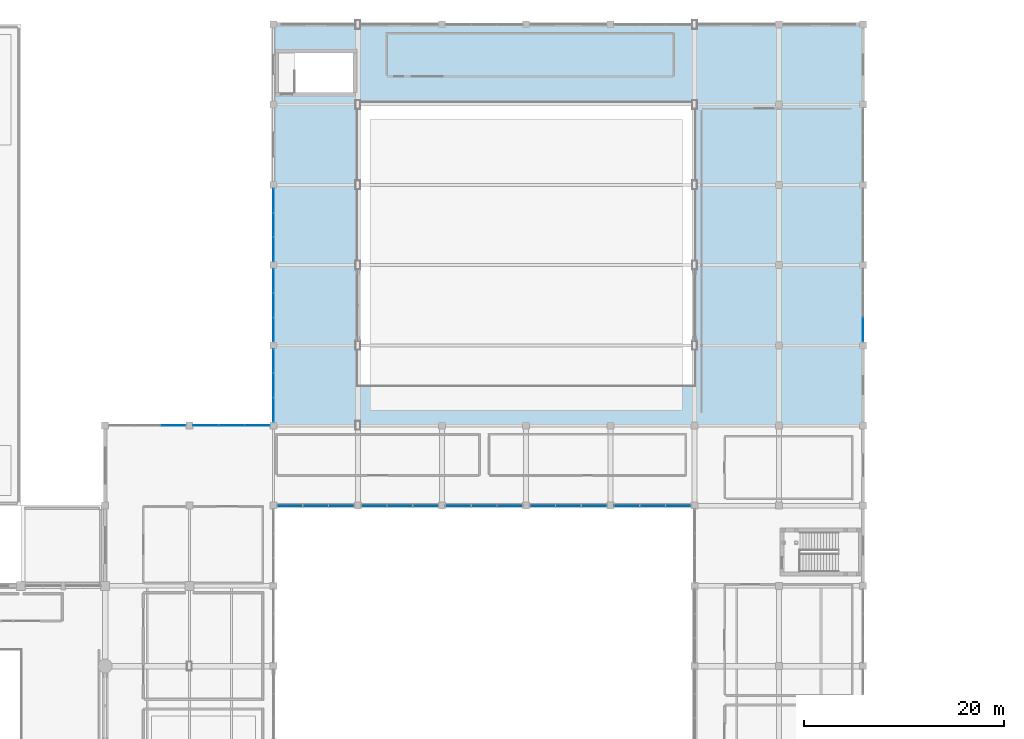
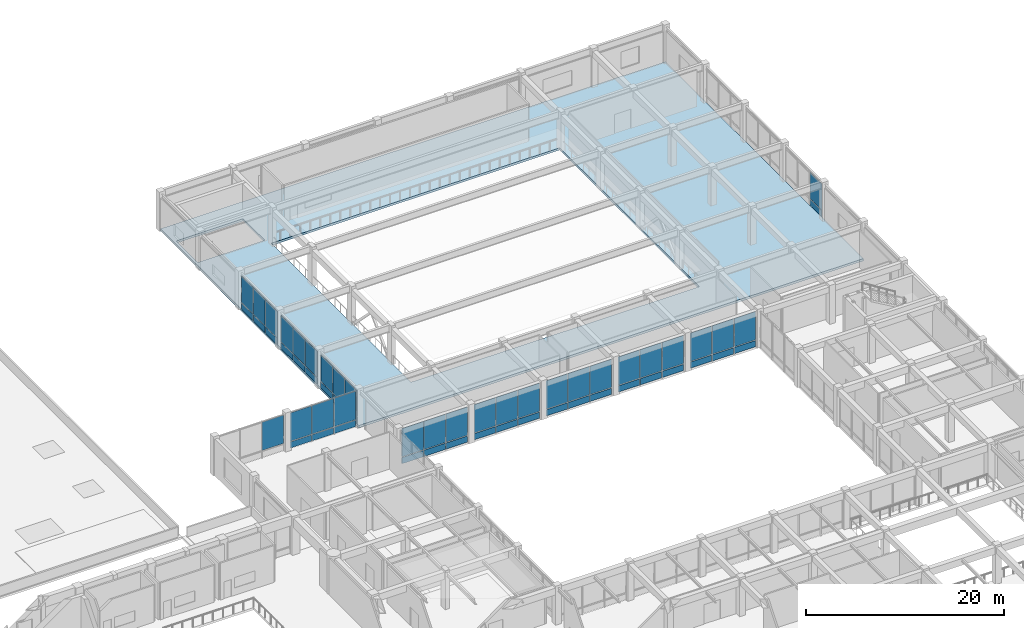
# One storey, part 47 of 76: 57 plates, 1 slab, 11 elements without a shape of their own.
"""IFC4 building model written with IfcOpenShell, lengths in metres."""

import ifcopenshell
import ifcopenshell.guid

model = None  # the IFC model being written
_history = None  # IfcOwnerHistory: only IFC2X3 demands one
_inside = {}  # id of a spatial element -> (the spatial element, [elements in it])
_under = {}  # id of a project, library or spatial element -> (it, [spatial elements below it])
_declared = {}  # id of a project -> (the project, [libraries it declares])
_typed = {}  # id of a type object -> (the type object, [elements of that type])
_made_of = {}  # id of a material, layer set ... -> (it, [elements and type objects made of it])


def new_model(schema):
    """Start an empty IFC model of exactly this schema.

    Asked for "IFC4X3", IfcOpenShell would pick the latest addendum, in which some entities
    have other attributes; the version numbers below select the first issue.
    IFC2X3 requires an IfcOwnerHistory on every rooted entity: one is made here for all.
    """
    global model, _history
    if schema == "IFC4X3":
        model = ifcopenshell.file(schema_version=(4, 3, 0, 0))
    else:
        model = ifcopenshell.file(schema=schema)
    _inside.clear()
    _under.clear()
    _declared.clear()
    _typed.clear()
    _made_of.clear()
    _history = None
    if model.schema == "IFC2X3":
        org = make("IfcOrganization", Name="unknown")
        user = make(
            "IfcPersonAndOrganization",
            ThePerson=make("IfcPerson", FamilyName="unknown"),
            TheOrganization=org,
        )
        app = make(
            "IfcApplication",
            ApplicationDeveloper=org,
            Version="unknown",
            ApplicationFullName="unknown",
            ApplicationIdentifier="unknown",
        )
        _history = make(
            "IfcOwnerHistory",
            OwningUser=user,
            OwningApplication=app,
            ChangeAction="ADDED",
            CreationDate=0,
        )
    return model


def make(cls, **values):
    """One entity of the class cls with the attributes given. An attribute that is None is left unset."""
    return model.create_entity(
        cls, **{name: value for name, value in values.items() if value is not None}
    )


def rooted(cls, **values):
    """An entity with a GlobalId (a new one), such as an element, a storey or a relation."""
    return make(cls, GlobalId=ifcopenshell.guid.new(), OwnerHistory=_history, **values)


def si_unit(unit_type, name, prefix=None):
    """IfcSIUnit, for example si_unit("LENGTHUNIT", "METRE", prefix="MILLI")."""
    return make("IfcSIUnit", UnitType=unit_type, Prefix=prefix, Name=name)


def assignment(units):
    """IfcUnitAssignment: the units of a project."""
    return None if units is None else make("IfcUnitAssignment", Units=units)


def point(xyz):
    """IfcCartesianPoint."""
    return None if xyz is None else make("IfcCartesianPoint", Coordinates=xyz)


def direction(xyz):
    """IfcDirection."""
    return None if xyz is None else make("IfcDirection", DirectionRatios=xyz)


def frame(location, z_axis=None, x_axis=None):
    """IfcAxis2Placement3D, a coordinate frame: its origin and axes. An axis left out is left unset."""
    return make(
        "IfcAxis2Placement3D",
        Location=point(location),
        Axis=direction(z_axis),
        RefDirection=direction(x_axis),
    )


def frame_2d(location, x_axis=None):
    """IfcAxis2Placement2D, a coordinate frame in the plane: its origin and x axis."""
    return make(
        "IfcAxis2Placement2D", Location=point(location), RefDirection=direction(x_axis)
    )


def origin():
    """The frame at (0, 0, 0) with its axes left unset."""
    return frame((0.0, 0.0, 0.0))


def origin_2d():
    """The frame at (0, 0) in the plane with its x axis left unset."""
    return frame_2d((0.0, 0.0))


def place(relative_to, where):
    """IfcLocalPlacement: puts the frame where relative to a parent placement (None: the world)."""
    return make(
        "IfcLocalPlacement", PlacementRelTo=relative_to, RelativePlacement=where
    )


def context(
    kind, dimensions, precision=None, world=None, true_north=None, identifier=None
):
    """IfcGeometricRepresentationContext, for example the 3D "Model" context."""
    return make(
        "IfcGeometricRepresentationContext",
        ContextIdentifier=identifier,
        ContextType=kind,
        CoordinateSpaceDimension=dimensions,
        Precision=precision,
        WorldCoordinateSystem=world,
        TrueNorth=true_north,
    )


def subcontext(parent, identifier, kind, view, scale=None):
    """IfcGeometricRepresentationSubContext, for example "Body" below "Model"."""
    return make(
        "IfcGeometricRepresentationSubContext",
        ContextIdentifier=identifier,
        ContextType=kind,
        ParentContext=parent,
        TargetScale=scale,
        TargetView=view,
    )


def project(units=None, contexts=None):
    """IfcProject with its units and contexts."""
    return rooted(
        "IfcProject",
        Name="project",
        RepresentationContexts=contexts,
        UnitsInContext=assignment(units),
    )


def spatial(cls, under=None, at=None, **own):
    """A site, building, storey or space (cls), placed at a placement, below another one or the project."""
    s = rooted(cls, ObjectPlacement=at, **own)
    if under is not None:
        _under.setdefault(under.id(), (under, []))[1].append(s)
    return s


def polyline(points):
    """IfcPolyline through the points."""
    return make("IfcPolyline", Points=[point(p) for p in points])


def profile(cls, at=None, kind="AREA", **sizes):
    """A parametric profile (cls). Its sizes go by their IFC names, for example OverallWidth=200.0."""
    return make(cls, ProfileType=kind, Position=at, **sizes)


def rectangle(**sizes):
    """IfcRectangleProfileDef."""
    return profile("IfcRectangleProfileDef", **sizes)


def outline(outer, holes=None, kind="AREA"):
    """IfcArbitraryClosedProfileDef: a profile drawn as a closed curve; with holes, ...WithVoids."""
    if holes is None:
        return make("IfcArbitraryClosedProfileDef", ProfileType=kind, OuterCurve=outer)
    return make(
        "IfcArbitraryProfileDefWithVoids",
        ProfileType=kind,
        OuterCurve=outer,
        InnerCurves=holes,
    )


def extrude(swept, where, along, depth):
    """IfcExtrudedAreaSolid: the profile swept, set in the frame where, extruded along a direction by depth."""
    return make(
        "IfcExtrudedAreaSolid",
        SweptArea=swept,
        Position=where,
        ExtrudedDirection=direction(along),
        Depth=depth,
    )


def shape(context_of_items, identifier, shape_type, items):
    """IfcShapeRepresentation: the items that make up one representation, for example the "Body"."""
    return make(
        "IfcShapeRepresentation",
        ContextOfItems=context_of_items,
        RepresentationIdentifier=identifier,
        RepresentationType=shape_type,
        Items=items,
    )


def material(Name=None, Category=None):
    """IfcMaterial."""
    return make("IfcMaterial", Name=Name, Category=Category)


def layer(
    of_material, thickness, ventilated=None, Name=None, Category=None, Priority=None
):
    """IfcMaterialLayer: one layer of a wall or slab, of a material (None: an air gap)."""
    return make(
        "IfcMaterialLayer",
        Material=of_material,
        LayerThickness=thickness,
        IsVentilated=ventilated,
        Name=Name,
        Category=Category,
        Priority=Priority,
    )


def layer_set(layers, Name=None):
    """IfcMaterialLayerSet."""
    return make("IfcMaterialLayerSet", MaterialLayers=layers, LayerSetName=Name)


def made_of(thing, what):
    """Note that an element or type object is made of a material, layer set ...; save() writes the relation."""
    if what is not None:
        _made_of.setdefault(what.id(), (what, []))[1].append(thing)
    return thing


def type_object(cls, material=None, **own):
    """A type object (cls), such as IfcWallType, which elements share."""
    return made_of(rooted(cls, **own), material)


def element(
    cls,
    number,
    at=None,
    inside=None,
    cuts=None,
    type_object=None,
    material=None,
    context=None,
    identifier="Body",
    shape_type=None,
    held_by="IfcProductDefinitionShape",
    body=None,
    shapes=None,
    **own,
):
    """One element of the class cls, such as IfcWall. Its Tag is "e" and its number.

    at: its placement. inside: the storey or other place that contains it. cuts: it is an
    opening in that element (IfcRelVoidsElement). A single representation is given by context,
    identifier, shape_type and body (its items); several are given by shapes. held_by: the class
    of the entity that holds the representations. save() writes the other relations.
    """
    e = rooted(cls, Tag="e%d" % number, ObjectPlacement=at, **own)
    if body is not None:
        shapes = [shape(context, identifier, shape_type, body)]
    if shapes is not None:
        e.Representation = make(held_by, Representations=shapes)
    if inside is not None:
        _inside.setdefault(inside.id(), (inside, []))[1].append(e)
    if cuts is not None:
        rooted(
            "IfcRelVoidsElement", RelatingBuildingElement=cuts, RelatedOpeningElement=e
        )
    if type_object is not None:
        _typed.setdefault(type_object.id(), (type_object, []))[1].append(e)
    return made_of(e, material)


def aggregate(whole, parts):
    """IfcRelAggregates: a whole, such as a stair, and the parts it consists of."""
    return rooted("IfcRelAggregates", RelatingObject=whole, RelatedObjects=parts)


def save(model, path):
    """Write the relations noted so far, then the file.

    IfcRelAggregates (storeys below a building ...), IfcRelContainedInSpatialStructure (elements
    in a storey), IfcRelDefinesByType, IfcRelAssociatesMaterial and IfcRelDeclares: one each for
    every whole, place, type object, material and project.
    """
    for whole, parts in _under.values():
        aggregate(whole, parts)
    for where, things in _inside.values():
        rooted(
            "IfcRelContainedInSpatialStructure",
            RelatedElements=things,
            RelatingStructure=where,
        )
    for kind, things in _typed.values():
        rooted("IfcRelDefinesByType", RelatedObjects=things, RelatingType=kind)
    for what, things in _made_of.values():
        rooted("IfcRelAssociatesMaterial", RelatedObjects=things, RelatingMaterial=what)
    for by, libraries in _declared.values():
        rooted("IfcRelDeclares", RelatingContext=by, RelatedDefinitions=libraries)
    model.write(path)


model = new_model("IFC4")

# Units and contexts
model_context = context("Model", 3, precision=1e-05, world=origin(), true_north=direction((0.0, 1.0)))
body_context = subcontext(model_context, "Body", "Model", "MODEL_VIEW")
ifc_project = project(units=[si_unit("LENGTHUNIT", "METRE"), si_unit("AREAUNIT", "SQUARE_METRE"), si_unit("VOLUMEUNIT", "CUBIC_METRE"), si_unit("PLANEANGLEUNIT", "RADIAN"), si_unit("MASSUNIT", "GRAM", prefix="KILO")], contexts=[model_context])

# Site, building, storey
site_placement = place(None, origin())
site = spatial("IfcSite", under=ifc_project, at=site_placement, CompositionType="ELEMENT")
building_placement = place(site_placement, origin())
building = spatial("IfcBuilding", under=site, at=building_placement, Name="Naruveol Harbour Congress Hotel", CompositionType="ELEMENT")
storey_placement = place(building_placement, frame((0.0, 0.0, 11.39990234375)))
storey = spatial("IfcBuildingStorey", under=building, at=storey_placement, Name="L02", CompositionType="ELEMENT", Elevation=11.39990234375)

# Curtain wall, plates
ifc_material_1 = material(Name="Low-E Curtain Wall System", Category="glass")
ifc_layer_1 = layer(ifc_material_1, 0.179931640625)
ifc_layer_set_1 = layer_set([ifc_layer_1], Name="Low-E Curtain Wall System")
curtain_wall_type_1 = type_object("IfcCurtainWallType", Name="UNITISED CURTAIN WALL CW-V2W-21 7300X4250", PredefinedType="USERDEFINED", material=ifc_layer_set_1)
curtain_wall_1_placement = place(storey_placement, origin())
curtain_wall_1 = element("IfcCurtainWall", 1, at=curtain_wall_1_placement, inside=storey, type_object=curtain_wall_type_1, Name="Unitised curtain wall CW-V2W-21 L02", ObjectType="UNITISED GLAZING", PredefinedType="USERDEFINED")
ifc_material_2 = material(Name="Anodised Aluminium Spandrel", Category="aluminium")
ifc_layer_2 = layer(ifc_material_2, 0.054931640625)
ifc_layer_set_2 = layer_set([ifc_layer_2], Name="Anodised Aluminium Spandrel")
plate_type_1 = type_object("IfcPlateType", Name="INSULATED CERAMIC SPANDREL PANEL 55", PredefinedType="CURTAIN_PANEL", material=ifc_layer_set_2)
plate_1_placement = place(storey_placement, frame((67.18994140625, 73.566650390625, 0.0400390625), z_axis=(0.0, 0.0, 1.0), x_axis=(0.0, 1.0, 0.0)))
plate_1 = element("IfcPlate", 2, at=plate_1_placement, type_object=plate_type_1, Name="Curtain wall spandrel panel CW-L02-0044-PS0", PredefinedType="CURTAIN_PANEL", context=body_context, shape_type="SweptSolid", body=[
    extrude(rectangle(XDim=2.35302734375, YDim=0.054931640625, at=origin_2d()), origin(), (0.0, 0.0, 1.0), 0.77001953125),
])
plate_2_placement = place(storey_placement, frame((67.18994140625, 76.0, 0.0400390625), z_axis=(0.0, 0.0, 1.0), x_axis=(0.0, 1.0, 0.0)))
plate_2 = element("IfcPlate", 3, at=plate_2_placement, type_object=plate_type_1, Name="Curtain wall spandrel panel CW-L02-0044-PS1", PredefinedType="CURTAIN_PANEL", context=body_context, shape_type="SweptSolid", body=[
    extrude(rectangle(XDim=2.35302734375, YDim=0.054931640625, at=origin_2d()), origin(), (0.0, 0.0, 1.0), 0.77001953125),
])
plate_3_placement = place(storey_placement, frame((67.18994140625, 78.433349609375, 0.0400390625), z_axis=(0.0, 0.0, 1.0), x_axis=(0.0, 1.0, 0.0)))
plate_3 = element("IfcPlate", 4, at=plate_3_placement, type_object=plate_type_1, Name="Curtain wall spandrel panel CW-L02-0044-PS2", PredefinedType="CURTAIN_PANEL", context=body_context, shape_type="SweptSolid", body=[
    extrude(rectangle(XDim=2.35302734375, YDim=0.054931640625, at=origin_2d()), origin(), (0.0, 0.0, 1.0), 0.77001953125),
])

curtain_wall_2_placement = place(storey_placement, origin())
curtain_wall_2 = element("IfcCurtainWall", 5, at=curtain_wall_2_placement, inside=storey, type_object=curtain_wall_type_1, Name="Unitised curtain wall CW-V2W-21 L02", ObjectType="UNITISED GLAZING", PredefinedType="USERDEFINED")
plate_4_placement = place(storey_placement, frame((67.18994140625, 81.566650390625, 0.0400390625), z_axis=(0.0, 0.0, 1.0), x_axis=(0.0, 1.0, 0.0)))
plate_4 = element("IfcPlate", 6, at=plate_4_placement, type_object=plate_type_1, Name="Curtain wall spandrel panel CW-L02-0045-PS0", PredefinedType="CURTAIN_PANEL", context=body_context, shape_type="SweptSolid", body=[
    extrude(rectangle(XDim=2.35302734375, YDim=0.054931640625, at=origin_2d()), origin(), (0.0, 0.0, 1.0), 0.77001953125),
])
plate_5_placement = place(storey_placement, frame((67.18994140625, 84.0, 0.0400390625), z_axis=(0.0, 0.0, 1.0), x_axis=(0.0, 1.0, 0.0)))
plate_5 = element("IfcPlate", 7, at=plate_5_placement, type_object=plate_type_1, Name="Curtain wall spandrel panel CW-L02-0045-PS1", PredefinedType="CURTAIN_PANEL", context=body_context, shape_type="SweptSolid", body=[
    extrude(rectangle(XDim=2.35302734375, YDim=0.054931640625, at=origin_2d()), origin(), (0.0, 0.0, 1.0), 0.77001953125),
])
plate_6_placement = place(storey_placement, frame((67.18994140625, 86.433349609375, 0.0400390625), z_axis=(0.0, 0.0, 1.0), x_axis=(0.0, 1.0, 0.0)))
plate_6 = element("IfcPlate", 8, at=plate_6_placement, type_object=plate_type_1, Name="Curtain wall spandrel panel CW-L02-0045-PS2", PredefinedType="CURTAIN_PANEL", context=body_context, shape_type="SweptSolid", body=[
    extrude(rectangle(XDim=2.35302734375, YDim=0.054931640625, at=origin_2d()), origin(), (0.0, 0.0, 1.0), 0.77001953125),
])

curtain_wall_3_placement = place(storey_placement, origin())
curtain_wall_3 = element("IfcCurtainWall", 9, at=curtain_wall_3_placement, inside=storey, type_object=curtain_wall_type_1, Name="Unitised curtain wall CW-V2W-21 L02", ObjectType="UNITISED GLAZING", PredefinedType="USERDEFINED")
plate_7_placement = place(storey_placement, frame((67.18994140625, 89.566650390625, 0.0400390625), z_axis=(0.0, 0.0, 1.0), x_axis=(0.0, 1.0, 0.0)))
plate_7 = element("IfcPlate", 10, at=plate_7_placement, type_object=plate_type_1, Name="Curtain wall spandrel panel CW-L02-0046-PS0", PredefinedType="CURTAIN_PANEL", context=body_context, shape_type="SweptSolid", body=[
    extrude(rectangle(XDim=2.35302734375, YDim=0.054931640625, at=origin_2d()), origin(), (0.0, 0.0, 1.0), 0.77001953125),
])
plate_8_placement = place(storey_placement, frame((67.18994140625, 92.0, 0.0400390625), z_axis=(0.0, 0.0, 1.0), x_axis=(0.0, 1.0, 0.0)))
plate_8 = element("IfcPlate", 11, at=plate_8_placement, type_object=plate_type_1, Name="Curtain wall spandrel panel CW-L02-0046-PS1", PredefinedType="CURTAIN_PANEL", context=body_context, shape_type="SweptSolid", body=[
    extrude(rectangle(XDim=2.35302734375, YDim=0.054931640625, at=origin_2d()), origin(), (0.0, 0.0, 1.0), 0.77001953125),
])
plate_9_placement = place(storey_placement, frame((67.18994140625, 94.433349609375, 0.0400390625), z_axis=(0.0, 0.0, 1.0), x_axis=(0.0, 1.0, 0.0)))
plate_9 = element("IfcPlate", 12, at=plate_9_placement, type_object=plate_type_1, Name="Curtain wall spandrel panel CW-L02-0046-PS2", PredefinedType="CURTAIN_PANEL", context=body_context, shape_type="SweptSolid", body=[
    extrude(rectangle(XDim=2.35302734375, YDim=0.054931640625, at=origin_2d()), origin(), (0.0, 0.0, 1.0), 0.77001953125),
])

# Curtain wall, plate
ifc_material_3 = material(Name="Low-E Curtain Wall System", Category="glass")
ifc_layer_3 = layer(ifc_material_3, 0.179931640625)
ifc_layer_set_3 = layer_set([ifc_layer_3], Name="Low-E Curtain Wall System")
curtain_wall_type_2 = type_object("IfcCurtainWallType", Name="UNITISED CURTAIN WALL CW-V2E-24 7300X4250", PredefinedType="USERDEFINED", material=ifc_layer_set_3)
curtain_wall_4_placement = place(storey_placement, origin())
curtain_wall_4 = element("IfcCurtainWall", 13, at=curtain_wall_4_placement, inside=storey, type_object=curtain_wall_type_2, Name="Unitised curtain wall CW-V2E-24 L02", ObjectType="UNITISED GLAZING", PredefinedType="USERDEFINED")
plate_10_placement = place(storey_placement, frame((126.010009765625, 81.566650390625, 0.0400390625), z_axis=(0.0, 0.0, 1.0), x_axis=(0.0, -1.0, 0.0)))
plate_10 = element("IfcPlate", 14, at=plate_10_placement, type_object=plate_type_1, Name="Curtain wall spandrel panel CW-L02-0049-PS2", PredefinedType="CURTAIN_PANEL", context=body_context, shape_type="SweptSolid", body=[
    extrude(rectangle(XDim=2.35302734375, YDim=0.054931640625, at=origin_2d()), origin(), (0.0, 0.0, 1.0), 0.77001953125),
])

# Curtain wall, plates
ifc_material_4 = material(Name="Low-E Curtain Wall System", Category="glass")
ifc_layer_4 = layer(ifc_material_4, 0.179931640625)
ifc_layer_set_4 = layer_set([ifc_layer_4], Name="Low-E Curtain Wall System")
curtain_wall_type_3 = type_object("IfcCurtainWallType", Name="UNITISED CURTAIN WALL CW-V4NF-40 7700X4500", PredefinedType="USERDEFINED", material=ifc_layer_set_4)
curtain_wall_5_placement = place(storey_placement, origin())
curtain_wall_5 = element("IfcCurtainWall", 15, at=curtain_wall_5_placement, inside=storey, type_object=curtain_wall_type_3, Name="Unitised curtain wall CW-V4NF-40 L02", ObjectType="UNITISED GLAZING", PredefinedType="USERDEFINED")
plate_11_placement = place(storey_placement, frame((60.433349609375, 72.010009765625, 0.0400390625), z_axis=(0.0, 0.0, 1.0), x_axis=(1.0, 0.0, 0.0)))
plate_11 = element("IfcPlate", 16, at=plate_11_placement, type_object=plate_type_1, Name="Curtain wall spandrel panel CW-L02-0103-PS0", PredefinedType="CURTAIN_PANEL", context=body_context, shape_type="SweptSolid", body=[
    extrude(rectangle(XDim=2.487060546875, YDim=0.054931640625, at=origin_2d()), origin(), (0.0, 0.0, 1.0), 0.77001953125),
])
plate_12_placement = place(storey_placement, frame((63.0, 72.010009765625, 0.0400390625), z_axis=(0.0, 0.0, 1.0), x_axis=(1.0, 0.0, 0.0)))
plate_12 = element("IfcPlate", 17, at=plate_12_placement, type_object=plate_type_1, Name="Curtain wall spandrel panel CW-L02-0103-PS1", PredefinedType="CURTAIN_PANEL", context=body_context, shape_type="SweptSolid", body=[
    extrude(rectangle(XDim=2.487060546875, YDim=0.054931640625, at=origin_2d()), origin(), (0.0, 0.0, 1.0), 0.77001953125),
])
plate_13_placement = place(storey_placement, frame((65.566650390625, 72.010009765625, 0.0400390625), z_axis=(0.0, 0.0, 1.0), x_axis=(1.0, 0.0, 0.0)))
plate_13 = element("IfcPlate", 18, at=plate_13_placement, type_object=plate_type_1, Name="Curtain wall spandrel panel CW-L02-0103-PS2", PredefinedType="CURTAIN_PANEL", context=body_context, shape_type="SweptSolid", body=[
    extrude(rectangle(XDim=2.487060546875, YDim=0.054931640625, at=origin_2d()), origin(), (0.0, 0.0, 1.0), 0.77001953125),
])

ifc_material_5 = material(Name="Low-E Curtain Wall System", Category="glass")
ifc_layer_5 = layer(ifc_material_5, 0.179931640625)
ifc_layer_set_5 = layer_set([ifc_layer_5], Name="Low-E Curtain Wall System")
curtain_wall_type_4 = type_object("IfcCurtainWallType", Name="UNITISED CURTAIN WALL CW-CTN-41 7700X4500", PredefinedType="USERDEFINED", material=ifc_layer_set_5)
curtain_wall_6_placement = place(storey_placement, origin())
curtain_wall_6 = element("IfcCurtainWall", 19, at=curtain_wall_6_placement, inside=storey, type_object=curtain_wall_type_4, Name="Unitised curtain wall CW-CTN-41 L02", ObjectType="UNITISED GLAZING", PredefinedType="USERDEFINED")
plate_14_placement = place(storey_placement, frame((73.966796875, 63.989990234375, 0.0400390625), z_axis=(0.0, 0.0, 1.0), x_axis=(-1.0, 0.0, 0.0)))
plate_14 = element("IfcPlate", 20, at=plate_14_placement, type_object=plate_type_1, Name="Curtain wall spandrel panel CW-L02-0104-PS0", PredefinedType="CURTAIN_PANEL", context=body_context, shape_type="SweptSolid", body=[
    extrude(rectangle(XDim=2.487060546875, YDim=0.054931640625, at=origin_2d()), origin(), (0.0, 0.0, 1.0), 0.77001953125),
])
plate_15_placement = place(storey_placement, frame((71.39990234375, 63.989990234375, 0.0400390625), z_axis=(0.0, 0.0, 1.0), x_axis=(-1.0, 0.0, 0.0)))
plate_15 = element("IfcPlate", 21, at=plate_15_placement, type_object=plate_type_1, Name="Curtain wall spandrel panel CW-L02-0104-PS1", PredefinedType="CURTAIN_PANEL", context=body_context, shape_type="SweptSolid", body=[
    extrude(rectangle(XDim=2.487060546875, YDim=0.054931640625, at=origin_2d()), origin(), (0.0, 0.0, 1.0), 0.77001953125),
])
plate_16_placement = place(storey_placement, frame((68.833251953125, 63.989990234375, 0.0400390625), z_axis=(0.0, 0.0, 1.0), x_axis=(-1.0, 0.0, 0.0)))
plate_16 = element("IfcPlate", 22, at=plate_16_placement, type_object=plate_type_1, Name="Curtain wall spandrel panel CW-L02-0104-PS2", PredefinedType="CURTAIN_PANEL", context=body_context, shape_type="SweptSolid", body=[
    extrude(rectangle(XDim=2.487060546875, YDim=0.054931640625, at=origin_2d()), origin(), (0.0, 0.0, 1.0), 0.77001953125),
])

curtain_wall_7_placement = place(storey_placement, origin())
curtain_wall_7 = element("IfcCurtainWall", 23, at=curtain_wall_7_placement, inside=storey, type_object=curtain_wall_type_4, Name="Unitised curtain wall CW-CTN-41 L02", ObjectType="UNITISED GLAZING", PredefinedType="USERDEFINED")
plate_17_placement = place(storey_placement, frame((82.36669921875, 63.989990234375, 0.0400390625), z_axis=(0.0, 0.0, 1.0), x_axis=(-1.0, 0.0, 0.0)))
plate_17 = element("IfcPlate", 24, at=plate_17_placement, type_object=plate_type_1, Name="Curtain wall spandrel panel CW-L02-0106-PS0", PredefinedType="CURTAIN_PANEL", context=body_context, shape_type="SweptSolid", body=[
    extrude(rectangle(XDim=2.487060546875, YDim=0.054931640625, at=origin_2d()), origin(), (0.0, 0.0, 1.0), 0.77001953125),
])
plate_18_placement = place(storey_placement, frame((79.800048828125, 63.989990234375, 0.0400390625), z_axis=(0.0, 0.0, 1.0), x_axis=(-1.0, 0.0, 0.0)))
plate_18 = element("IfcPlate", 25, at=plate_18_placement, type_object=plate_type_1, Name="Curtain wall spandrel panel CW-L02-0106-PS1", PredefinedType="CURTAIN_PANEL", context=body_context, shape_type="SweptSolid", body=[
    extrude(rectangle(XDim=2.487060546875, YDim=0.054931640625, at=origin_2d()), origin(), (0.0, 0.0, 1.0), 0.77001953125),
])
plate_19_placement = place(storey_placement, frame((77.2333984375, 63.989990234375, 0.0400390625), z_axis=(0.0, 0.0, 1.0), x_axis=(-1.0, 0.0, 0.0)))
plate_19 = element("IfcPlate", 26, at=plate_19_placement, type_object=plate_type_1, Name="Curtain wall spandrel panel CW-L02-0106-PS2", PredefinedType="CURTAIN_PANEL", context=body_context, shape_type="SweptSolid", body=[
    extrude(rectangle(XDim=2.487060546875, YDim=0.054931640625, at=origin_2d()), origin(), (0.0, 0.0, 1.0), 0.77001953125),
])

curtain_wall_8_placement = place(storey_placement, origin())
curtain_wall_8 = element("IfcCurtainWall", 27, at=curtain_wall_8_placement, inside=storey, type_object=curtain_wall_type_4, Name="Unitised curtain wall CW-CTN-41 L02", ObjectType="UNITISED GLAZING", PredefinedType="USERDEFINED")
plate_20_placement = place(storey_placement, frame((90.7666015625, 63.989990234375, 0.0400390625), z_axis=(0.0, 0.0, 1.0), x_axis=(-1.0, 0.0, 0.0)))
plate_20 = element("IfcPlate", 28, at=plate_20_placement, type_object=plate_type_1, Name="Curtain wall spandrel panel CW-L02-0108-PS0", PredefinedType="CURTAIN_PANEL", context=body_context, shape_type="SweptSolid", body=[
    extrude(rectangle(XDim=2.487060546875, YDim=0.054931640625, at=origin_2d()), origin(), (0.0, 0.0, 1.0), 0.77001953125),
])
plate_21_placement = place(storey_placement, frame((88.199951171875, 63.989990234375, 0.0400390625), z_axis=(0.0, 0.0, 1.0), x_axis=(-1.0, 0.0, 0.0)))
plate_21 = element("IfcPlate", 29, at=plate_21_placement, type_object=plate_type_1, Name="Curtain wall spandrel panel CW-L02-0108-PS1", PredefinedType="CURTAIN_PANEL", context=body_context, shape_type="SweptSolid", body=[
    extrude(rectangle(XDim=2.487060546875, YDim=0.054931640625, at=origin_2d()), origin(), (0.0, 0.0, 1.0), 0.77001953125),
])
plate_22_placement = place(storey_placement, frame((85.63330078125, 63.989990234375, 0.0400390625), z_axis=(0.0, 0.0, 1.0), x_axis=(-1.0, 0.0, 0.0)))
plate_22 = element("IfcPlate", 30, at=plate_22_placement, type_object=plate_type_1, Name="Curtain wall spandrel panel CW-L02-0108-PS2", PredefinedType="CURTAIN_PANEL", context=body_context, shape_type="SweptSolid", body=[
    extrude(rectangle(XDim=2.487060546875, YDim=0.054931640625, at=origin_2d()), origin(), (0.0, 0.0, 1.0), 0.77001953125),
])

curtain_wall_9_placement = place(storey_placement, origin())
curtain_wall_9 = element("IfcCurtainWall", 31, at=curtain_wall_9_placement, inside=storey, type_object=curtain_wall_type_4, Name="Unitised curtain wall CW-CTN-41 L02", ObjectType="UNITISED GLAZING", PredefinedType="USERDEFINED")
plate_23_placement = place(storey_placement, frame((99.166748046875, 63.989990234375, 0.0400390625), z_axis=(0.0, 0.0, 1.0), x_axis=(-1.0, 0.0, 0.0)))
plate_23 = element("IfcPlate", 32, at=plate_23_placement, type_object=plate_type_1, Name="Curtain wall spandrel panel CW-L02-0110-PS0", PredefinedType="CURTAIN_PANEL", context=body_context, shape_type="SweptSolid", body=[
    extrude(rectangle(XDim=2.487060546875, YDim=0.054931640625, at=origin_2d()), origin(), (0.0, 0.0, 1.0), 0.77001953125),
])
plate_24_placement = place(storey_placement, frame((96.60009765625, 63.989990234375, 0.0400390625), z_axis=(0.0, 0.0, 1.0), x_axis=(-1.0, 0.0, 0.0)))
plate_24 = element("IfcPlate", 33, at=plate_24_placement, type_object=plate_type_1, Name="Curtain wall spandrel panel CW-L02-0110-PS1", PredefinedType="CURTAIN_PANEL", context=body_context, shape_type="SweptSolid", body=[
    extrude(rectangle(XDim=2.487060546875, YDim=0.054931640625, at=origin_2d()), origin(), (0.0, 0.0, 1.0), 0.77001953125),
])
plate_25_placement = place(storey_placement, frame((94.033203125, 63.989990234375, 0.0400390625), z_axis=(0.0, 0.0, 1.0), x_axis=(-1.0, 0.0, 0.0)))
plate_25 = element("IfcPlate", 34, at=plate_25_placement, type_object=plate_type_1, Name="Curtain wall spandrel panel CW-L02-0110-PS2", PredefinedType="CURTAIN_PANEL", context=body_context, shape_type="SweptSolid", body=[
    extrude(rectangle(XDim=2.487060546875, YDim=0.054931640625, at=origin_2d()), origin(), (0.0, 0.0, 1.0), 0.77001953125),
])

curtain_wall_10_placement = place(storey_placement, origin())
curtain_wall_10 = element("IfcCurtainWall", 35, at=curtain_wall_10_placement, inside=storey, type_object=curtain_wall_type_4, Name="Unitised curtain wall CW-CTN-41 L02", ObjectType="UNITISED GLAZING", PredefinedType="USERDEFINED")
plate_26_placement = place(storey_placement, frame((107.566650390625, 63.989990234375, 0.0400390625), z_axis=(0.0, 0.0, 1.0), x_axis=(-1.0, 0.0, 0.0)))
plate_26 = element("IfcPlate", 36, at=plate_26_placement, type_object=plate_type_1, Name="Curtain wall spandrel panel CW-L02-0112-PS0", PredefinedType="CURTAIN_PANEL", context=body_context, shape_type="SweptSolid", body=[
    extrude(rectangle(XDim=2.487060546875, YDim=0.054931640625, at=origin_2d()), origin(), (0.0, 0.0, 1.0), 0.77001953125),
])
plate_27_placement = place(storey_placement, frame((105.0, 63.989990234375, 0.0400390625), z_axis=(0.0, 0.0, 1.0), x_axis=(-1.0, 0.0, 0.0)))
plate_27 = element("IfcPlate", 37, at=plate_27_placement, type_object=plate_type_1, Name="Curtain wall spandrel panel CW-L02-0112-PS1", PredefinedType="CURTAIN_PANEL", context=body_context, shape_type="SweptSolid", body=[
    extrude(rectangle(XDim=2.487060546875, YDim=0.054931640625, at=origin_2d()), origin(), (0.0, 0.0, 1.0), 0.77001953125),
])
plate_28_placement = place(storey_placement, frame((102.433349609375, 63.989990234375, 0.0400390625), z_axis=(0.0, 0.0, 1.0), x_axis=(-1.0, 0.0, 0.0)))
plate_28 = element("IfcPlate", 38, at=plate_28_placement, type_object=plate_type_1, Name="Curtain wall spandrel panel CW-L02-0112-PS2", PredefinedType="CURTAIN_PANEL", context=body_context, shape_type="SweptSolid", body=[
    extrude(rectangle(XDim=2.487060546875, YDim=0.054931640625, at=origin_2d()), origin(), (0.0, 0.0, 1.0), 0.77001953125),
])

# Plate
ifc_material_6 = material(Name="Low-E Insulated Glass", Category="glass")
ifc_layer_6 = layer(ifc_material_6, 0.0419921875)
ifc_layer_set_6 = layer_set([ifc_layer_6], Name="Low-E Insulated Glass")
plate_type_2 = type_object("IfcPlateType", Name="LOW-E TRIPLE GLAZED CURTAIN PANEL 42", PredefinedType="CURTAIN_PANEL", material=ifc_layer_set_6)
plate_29_placement = place(storey_placement, frame((67.18994140625, 73.566650390625, 0.89013671875), z_axis=(0.0, 0.0, 1.0), x_axis=(0.0, 1.0, 0.0)))
plate_29 = element("IfcPlate", 39, at=plate_29_placement, type_object=plate_type_2, Name="Curtain wall vision panel CW-L02-0044-PG0", PredefinedType="CURTAIN_PANEL", context=body_context, shape_type="SweptSolid", body=[
    extrude(rectangle(XDim=2.35302734375, YDim=0.0419921875, at=origin_2d()), origin(), (0.0, 0.0, 1.0), 3.239990234375),
])

plate_30_placement = place(storey_placement, frame((67.18994140625, 76.0, 0.89013671875), z_axis=(0.0, 0.0, 1.0), x_axis=(0.0, 1.0, 0.0)))
plate_30 = element("IfcPlate", 40, at=plate_30_placement, type_object=plate_type_2, Name="Curtain wall vision panel CW-L02-0044-PG1", PredefinedType="CURTAIN_PANEL", context=body_context, shape_type="SweptSolid", body=[
    extrude(rectangle(XDim=2.35302734375, YDim=0.0419921875, at=origin_2d()), origin(), (0.0, 0.0, 1.0), 3.239990234375),
])

plate_31_placement = place(storey_placement, frame((67.18994140625, 78.433349609375, 0.89013671875), z_axis=(0.0, 0.0, 1.0), x_axis=(0.0, 1.0, 0.0)))
plate_31 = element("IfcPlate", 41, at=plate_31_placement, type_object=plate_type_2, Name="Curtain wall vision panel CW-L02-0044-PG2", PredefinedType="CURTAIN_PANEL", context=body_context, shape_type="SweptSolid", body=[
    extrude(rectangle(XDim=2.35302734375, YDim=0.0419921875, at=origin_2d()), origin(), (0.0, 0.0, 1.0), 3.239990234375),
])

aggregate(curtain_wall_1, [plate_1, plate_29, plate_2, plate_30, plate_3, plate_31])

plate_32_placement = place(storey_placement, frame((67.18994140625, 81.566650390625, 0.89013671875), z_axis=(0.0, 0.0, 1.0), x_axis=(0.0, 1.0, 0.0)))
plate_32 = element("IfcPlate", 42, at=plate_32_placement, type_object=plate_type_2, Name="Curtain wall vision panel CW-L02-0045-PG0", PredefinedType="CURTAIN_PANEL", context=body_context, shape_type="SweptSolid", body=[
    extrude(rectangle(XDim=2.35302734375, YDim=0.0419921875, at=origin_2d()), origin(), (0.0, 0.0, 1.0), 3.239990234375),
])

plate_33_placement = place(storey_placement, frame((67.18994140625, 84.0, 0.89013671875), z_axis=(0.0, 0.0, 1.0), x_axis=(0.0, 1.0, 0.0)))
plate_33 = element("IfcPlate", 43, at=plate_33_placement, type_object=plate_type_2, Name="Curtain wall vision panel CW-L02-0045-PG1", PredefinedType="CURTAIN_PANEL", context=body_context, shape_type="SweptSolid", body=[
    extrude(rectangle(XDim=2.35302734375, YDim=0.0419921875, at=origin_2d()), origin(), (0.0, 0.0, 1.0), 3.239990234375),
])

plate_34_placement = place(storey_placement, frame((67.18994140625, 86.433349609375, 0.89013671875), z_axis=(0.0, 0.0, 1.0), x_axis=(0.0, 1.0, 0.0)))
plate_34 = element("IfcPlate", 44, at=plate_34_placement, type_object=plate_type_2, Name="Curtain wall vision panel CW-L02-0045-PG2", PredefinedType="CURTAIN_PANEL", context=body_context, shape_type="SweptSolid", body=[
    extrude(rectangle(XDim=2.35302734375, YDim=0.0419921875, at=origin_2d()), origin(), (0.0, 0.0, 1.0), 3.239990234375),
])

aggregate(curtain_wall_2, [plate_4, plate_32, plate_5, plate_33, plate_6, plate_34])

plate_35_placement = place(storey_placement, frame((67.18994140625, 89.566650390625, 0.89013671875), z_axis=(0.0, 0.0, 1.0), x_axis=(0.0, 1.0, 0.0)))
plate_35 = element("IfcPlate", 45, at=plate_35_placement, type_object=plate_type_2, Name="Curtain wall vision panel CW-L02-0046-PG0", PredefinedType="CURTAIN_PANEL", context=body_context, shape_type="SweptSolid", body=[
    extrude(rectangle(XDim=2.35302734375, YDim=0.0419921875, at=origin_2d()), origin(), (0.0, 0.0, 1.0), 3.239990234375),
])

plate_36_placement = place(storey_placement, frame((67.18994140625, 92.0, 0.89013671875), z_axis=(0.0, 0.0, 1.0), x_axis=(0.0, 1.0, 0.0)))
plate_36 = element("IfcPlate", 46, at=plate_36_placement, type_object=plate_type_2, Name="Curtain wall vision panel CW-L02-0046-PG1", PredefinedType="CURTAIN_PANEL", context=body_context, shape_type="SweptSolid", body=[
    extrude(rectangle(XDim=2.35302734375, YDim=0.0419921875, at=origin_2d()), origin(), (0.0, 0.0, 1.0), 3.239990234375),
])

plate_37_placement = place(storey_placement, frame((67.18994140625, 94.433349609375, 0.89013671875), z_axis=(0.0, 0.0, 1.0), x_axis=(0.0, 1.0, 0.0)))
plate_37 = element("IfcPlate", 47, at=plate_37_placement, type_object=plate_type_2, Name="Curtain wall vision panel CW-L02-0046-PG2", PredefinedType="CURTAIN_PANEL", context=body_context, shape_type="SweptSolid", body=[
    extrude(rectangle(XDim=2.35302734375, YDim=0.0419921875, at=origin_2d()), origin(), (0.0, 0.0, 1.0), 3.239990234375),
])

aggregate(curtain_wall_3, [plate_7, plate_35, plate_8, plate_36, plate_9, plate_37])

plate_38_placement = place(storey_placement, frame((126.010009765625, 81.566650390625, 0.89013671875), z_axis=(0.0, 0.0, 1.0), x_axis=(0.0, -1.0, 0.0)))
plate_38 = element("IfcPlate", 48, at=plate_38_placement, type_object=plate_type_2, Name="Curtain wall vision panel CW-L02-0049-PG2", PredefinedType="CURTAIN_PANEL", context=body_context, shape_type="SweptSolid", body=[
    extrude(rectangle(XDim=2.35302734375, YDim=0.0419921875, at=origin_2d()), origin(), (0.0, 0.0, 1.0), 3.239990234375),
])

aggregate(curtain_wall_4, [plate_10, plate_38])

# Curtain wall, plate
curtain_wall_11_placement = place(storey_placement, origin())
curtain_wall_11 = element("IfcCurtainWall", 49, at=curtain_wall_11_placement, inside=storey, type_object=curtain_wall_type_3, Name="Unitised curtain wall CW-V4NF-40 L02", ObjectType="UNITISED GLAZING", PredefinedType="USERDEFINED")
plate_39_placement = place(storey_placement, frame((57.166748046875, 72.010009765625, 0.89013671875), z_axis=(0.0, 0.0, 1.0), x_axis=(1.0, 0.0, 0.0)))
plate_39 = element("IfcPlate", 50, at=plate_39_placement, type_object=plate_type_2, Name="Curtain wall vision panel CW-L02-0102-PG2", PredefinedType="CURTAIN_PANEL", context=body_context, shape_type="SweptSolid", body=[
    extrude(rectangle(XDim=2.487060546875, YDim=0.0419921875, at=origin_2d()), origin(), (0.0, 0.0, 1.0), 3.489990234375),
])
aggregate(curtain_wall_11, [plate_39])

# Plate
plate_40_placement = place(storey_placement, frame((60.433349609375, 72.010009765625, 0.89013671875), z_axis=(0.0, 0.0, 1.0), x_axis=(1.0, 0.0, 0.0)))
plate_40 = element("IfcPlate", 51, at=plate_40_placement, type_object=plate_type_2, Name="Curtain wall vision panel CW-L02-0103-PG0", PredefinedType="CURTAIN_PANEL", context=body_context, shape_type="SweptSolid", body=[
    extrude(rectangle(XDim=2.487060546875, YDim=0.0419921875, at=origin_2d()), origin(), (0.0, 0.0, 1.0), 3.489990234375),
])

plate_41_placement = place(storey_placement, frame((63.0, 72.010009765625, 0.89013671875), z_axis=(0.0, 0.0, 1.0), x_axis=(1.0, 0.0, 0.0)))
plate_41 = element("IfcPlate", 52, at=plate_41_placement, type_object=plate_type_2, Name="Curtain wall vision panel CW-L02-0103-PG1", PredefinedType="CURTAIN_PANEL", context=body_context, shape_type="SweptSolid", body=[
    extrude(rectangle(XDim=2.487060546875, YDim=0.0419921875, at=origin_2d()), origin(), (0.0, 0.0, 1.0), 3.489990234375),
])

plate_42_placement = place(storey_placement, frame((65.566650390625, 72.010009765625, 0.89013671875), z_axis=(0.0, 0.0, 1.0), x_axis=(1.0, 0.0, 0.0)))
plate_42 = element("IfcPlate", 53, at=plate_42_placement, type_object=plate_type_2, Name="Curtain wall vision panel CW-L02-0103-PG2", PredefinedType="CURTAIN_PANEL", context=body_context, shape_type="SweptSolid", body=[
    extrude(rectangle(XDim=2.487060546875, YDim=0.0419921875, at=origin_2d()), origin(), (0.0, 0.0, 1.0), 3.489990234375),
])

aggregate(curtain_wall_5, [plate_11, plate_40, plate_12, plate_41, plate_13, plate_42])

plate_43_placement = place(storey_placement, frame((73.966796875, 63.989990234375, 0.89013671875), z_axis=(0.0, 0.0, 1.0), x_axis=(-1.0, 0.0, 0.0)))
plate_43 = element("IfcPlate", 54, at=plate_43_placement, type_object=plate_type_2, Name="Curtain wall vision panel CW-L02-0104-PG0", PredefinedType="CURTAIN_PANEL", context=body_context, shape_type="SweptSolid", body=[
    extrude(rectangle(XDim=2.487060546875, YDim=0.0419921875, at=origin_2d()), origin(), (0.0, 0.0, 1.0), 3.489990234375),
])

plate_44_placement = place(storey_placement, frame((71.39990234375, 63.989990234375, 0.89013671875), z_axis=(0.0, 0.0, 1.0), x_axis=(-1.0, 0.0, 0.0)))
plate_44 = element("IfcPlate", 55, at=plate_44_placement, type_object=plate_type_2, Name="Curtain wall vision panel CW-L02-0104-PG1", PredefinedType="CURTAIN_PANEL", context=body_context, shape_type="SweptSolid", body=[
    extrude(rectangle(XDim=2.487060546875, YDim=0.0419921875, at=origin_2d()), origin(), (0.0, 0.0, 1.0), 3.489990234375),
])

plate_45_placement = place(storey_placement, frame((68.833251953125, 63.989990234375, 0.89013671875), z_axis=(0.0, 0.0, 1.0), x_axis=(-1.0, 0.0, 0.0)))
plate_45 = element("IfcPlate", 56, at=plate_45_placement, type_object=plate_type_2, Name="Curtain wall vision panel CW-L02-0104-PG2", PredefinedType="CURTAIN_PANEL", context=body_context, shape_type="SweptSolid", body=[
    extrude(rectangle(XDim=2.487060546875, YDim=0.0419921875, at=origin_2d()), origin(), (0.0, 0.0, 1.0), 3.489990234375),
])

aggregate(curtain_wall_6, [plate_14, plate_43, plate_15, plate_44, plate_16, plate_45])

plate_46_placement = place(storey_placement, frame((82.36669921875, 63.989990234375, 0.89013671875), z_axis=(0.0, 0.0, 1.0), x_axis=(-1.0, 0.0, 0.0)))
plate_46 = element("IfcPlate", 57, at=plate_46_placement, type_object=plate_type_2, Name="Curtain wall vision panel CW-L02-0106-PG0", PredefinedType="CURTAIN_PANEL", context=body_context, shape_type="SweptSolid", body=[
    extrude(rectangle(XDim=2.487060546875, YDim=0.0419921875, at=origin_2d()), origin(), (0.0, 0.0, 1.0), 3.489990234375),
])

plate_47_placement = place(storey_placement, frame((79.800048828125, 63.989990234375, 0.89013671875), z_axis=(0.0, 0.0, 1.0), x_axis=(-1.0, 0.0, 0.0)))
plate_47 = element("IfcPlate", 58, at=plate_47_placement, type_object=plate_type_2, Name="Curtain wall vision panel CW-L02-0106-PG1", PredefinedType="CURTAIN_PANEL", context=body_context, shape_type="SweptSolid", body=[
    extrude(rectangle(XDim=2.487060546875, YDim=0.0419921875, at=origin_2d()), origin(), (0.0, 0.0, 1.0), 3.489990234375),
])

plate_48_placement = place(storey_placement, frame((77.2333984375, 63.989990234375, 0.89013671875), z_axis=(0.0, 0.0, 1.0), x_axis=(-1.0, 0.0, 0.0)))
plate_48 = element("IfcPlate", 59, at=plate_48_placement, type_object=plate_type_2, Name="Curtain wall vision panel CW-L02-0106-PG2", PredefinedType="CURTAIN_PANEL", context=body_context, shape_type="SweptSolid", body=[
    extrude(rectangle(XDim=2.487060546875, YDim=0.0419921875, at=origin_2d()), origin(), (0.0, 0.0, 1.0), 3.489990234375),
])

aggregate(curtain_wall_7, [plate_17, plate_46, plate_18, plate_47, plate_19, plate_48])

plate_49_placement = place(storey_placement, frame((90.7666015625, 63.989990234375, 0.89013671875), z_axis=(0.0, 0.0, 1.0), x_axis=(-1.0, 0.0, 0.0)))
plate_49 = element("IfcPlate", 60, at=plate_49_placement, type_object=plate_type_2, Name="Curtain wall vision panel CW-L02-0108-PG0", PredefinedType="CURTAIN_PANEL", context=body_context, shape_type="SweptSolid", body=[
    extrude(rectangle(XDim=2.487060546875, YDim=0.0419921875, at=origin_2d()), origin(), (0.0, 0.0, 1.0), 3.489990234375),
])

plate_50_placement = place(storey_placement, frame((88.199951171875, 63.989990234375, 0.89013671875), z_axis=(0.0, 0.0, 1.0), x_axis=(-1.0, 0.0, 0.0)))
plate_50 = element("IfcPlate", 61, at=plate_50_placement, type_object=plate_type_2, Name="Curtain wall vision panel CW-L02-0108-PG1", PredefinedType="CURTAIN_PANEL", context=body_context, shape_type="SweptSolid", body=[
    extrude(rectangle(XDim=2.487060546875, YDim=0.0419921875, at=origin_2d()), origin(), (0.0, 0.0, 1.0), 3.489990234375),
])

plate_51_placement = place(storey_placement, frame((85.63330078125, 63.989990234375, 0.89013671875), z_axis=(0.0, 0.0, 1.0), x_axis=(-1.0, 0.0, 0.0)))
plate_51 = element("IfcPlate", 62, at=plate_51_placement, type_object=plate_type_2, Name="Curtain wall vision panel CW-L02-0108-PG2", PredefinedType="CURTAIN_PANEL", context=body_context, shape_type="SweptSolid", body=[
    extrude(rectangle(XDim=2.487060546875, YDim=0.0419921875, at=origin_2d()), origin(), (0.0, 0.0, 1.0), 3.489990234375),
])

aggregate(curtain_wall_8, [plate_20, plate_49, plate_21, plate_50, plate_22, plate_51])

plate_52_placement = place(storey_placement, frame((99.166748046875, 63.989990234375, 0.89013671875), z_axis=(0.0, 0.0, 1.0), x_axis=(-1.0, 0.0, 0.0)))
plate_52 = element("IfcPlate", 63, at=plate_52_placement, type_object=plate_type_2, Name="Curtain wall vision panel CW-L02-0110-PG0", PredefinedType="CURTAIN_PANEL", context=body_context, shape_type="SweptSolid", body=[
    extrude(rectangle(XDim=2.487060546875, YDim=0.0419921875, at=origin_2d()), origin(), (0.0, 0.0, 1.0), 3.489990234375),
])

plate_53_placement = place(storey_placement, frame((96.60009765625, 63.989990234375, 0.89013671875), z_axis=(0.0, 0.0, 1.0), x_axis=(-1.0, 0.0, 0.0)))
plate_53 = element("IfcPlate", 64, at=plate_53_placement, type_object=plate_type_2, Name="Curtain wall vision panel CW-L02-0110-PG1", PredefinedType="CURTAIN_PANEL", context=body_context, shape_type="SweptSolid", body=[
    extrude(rectangle(XDim=2.487060546875, YDim=0.0419921875, at=origin_2d()), origin(), (0.0, 0.0, 1.0), 3.489990234375),
])

plate_54_placement = place(storey_placement, frame((94.033203125, 63.989990234375, 0.89013671875), z_axis=(0.0, 0.0, 1.0), x_axis=(-1.0, 0.0, 0.0)))
plate_54 = element("IfcPlate", 65, at=plate_54_placement, type_object=plate_type_2, Name="Curtain wall vision panel CW-L02-0110-PG2", PredefinedType="CURTAIN_PANEL", context=body_context, shape_type="SweptSolid", body=[
    extrude(rectangle(XDim=2.487060546875, YDim=0.0419921875, at=origin_2d()), origin(), (0.0, 0.0, 1.0), 3.489990234375),
])

aggregate(curtain_wall_9, [plate_23, plate_52, plate_24, plate_53, plate_25, plate_54])

plate_55_placement = place(storey_placement, frame((107.566650390625, 63.989990234375, 0.89013671875), z_axis=(0.0, 0.0, 1.0), x_axis=(-1.0, 0.0, 0.0)))
plate_55 = element("IfcPlate", 66, at=plate_55_placement, type_object=plate_type_2, Name="Curtain wall vision panel CW-L02-0112-PG0", PredefinedType="CURTAIN_PANEL", context=body_context, shape_type="SweptSolid", body=[
    extrude(rectangle(XDim=2.487060546875, YDim=0.0419921875, at=origin_2d()), origin(), (0.0, 0.0, 1.0), 3.489990234375),
])

plate_56_placement = place(storey_placement, frame((105.0, 63.989990234375, 0.89013671875), z_axis=(0.0, 0.0, 1.0), x_axis=(-1.0, 0.0, 0.0)))
plate_56 = element("IfcPlate", 67, at=plate_56_placement, type_object=plate_type_2, Name="Curtain wall vision panel CW-L02-0112-PG1", PredefinedType="CURTAIN_PANEL", context=body_context, shape_type="SweptSolid", body=[
    extrude(rectangle(XDim=2.487060546875, YDim=0.0419921875, at=origin_2d()), origin(), (0.0, 0.0, 1.0), 3.489990234375),
])

plate_57_placement = place(storey_placement, frame((102.433349609375, 63.989990234375, 0.89013671875), z_axis=(0.0, 0.0, 1.0), x_axis=(-1.0, 0.0, 0.0)))
plate_57 = element("IfcPlate", 68, at=plate_57_placement, type_object=plate_type_2, Name="Curtain wall vision panel CW-L02-0112-PG2", PredefinedType="CURTAIN_PANEL", context=body_context, shape_type="SweptSolid", body=[
    extrude(rectangle(XDim=2.487060546875, YDim=0.0419921875, at=origin_2d()), origin(), (0.0, 0.0, 1.0), 3.489990234375),
])

aggregate(curtain_wall_10, [plate_26, plate_55, plate_27, plate_56, plate_28, plate_57])

# Slab
ifc_material_7 = material(Name="Concrete C40/50", Category="concrete")
ifc_layer_7 = layer(ifc_material_7, 0.280029296875)
ifc_layer_set_7 = layer_set([ifc_layer_7], Name="Concrete C40/50")
slab_type = type_object("IfcSlabType", Name="RC BALCONY AND PUBLIC DECK SLAB 280", PredefinedType="FLOOR", material=ifc_layer_set_7)
slab_placement = place(storey_placement, frame((0.0, 0.0, -0.27978515625)))
element("IfcSlab", 69, at=slab_placement, inside=storey, type_object=slab_type, Name="Level L02 Grand Ballroom upper gallery slab", PredefinedType="FLOOR", context=body_context, shape_type="SweptSolid", body=[
    extrude(outline(polyline([(67.199951171875, 72.0), (126.0, 72.0), (126.0, 112.0), (67.199951171875, 112.0), (67.199951171875, 72.0)]), holes=[polyline([(75.60009765625, 76.0), (109.199951171875, 76.0), (109.199951171875, 104.199951171875), (75.60009765625, 104.199951171875), (75.60009765625, 76.0)]), polyline([(67.5, 105.0), (75.300048828125, 105.0), (75.300048828125, 109.360107421875), (67.5, 109.360107421875), (67.5, 105.0)])]), origin(), (0.0, 0.0, 1.0), 0.27978515625),
])

save(model, "model.ifc")
